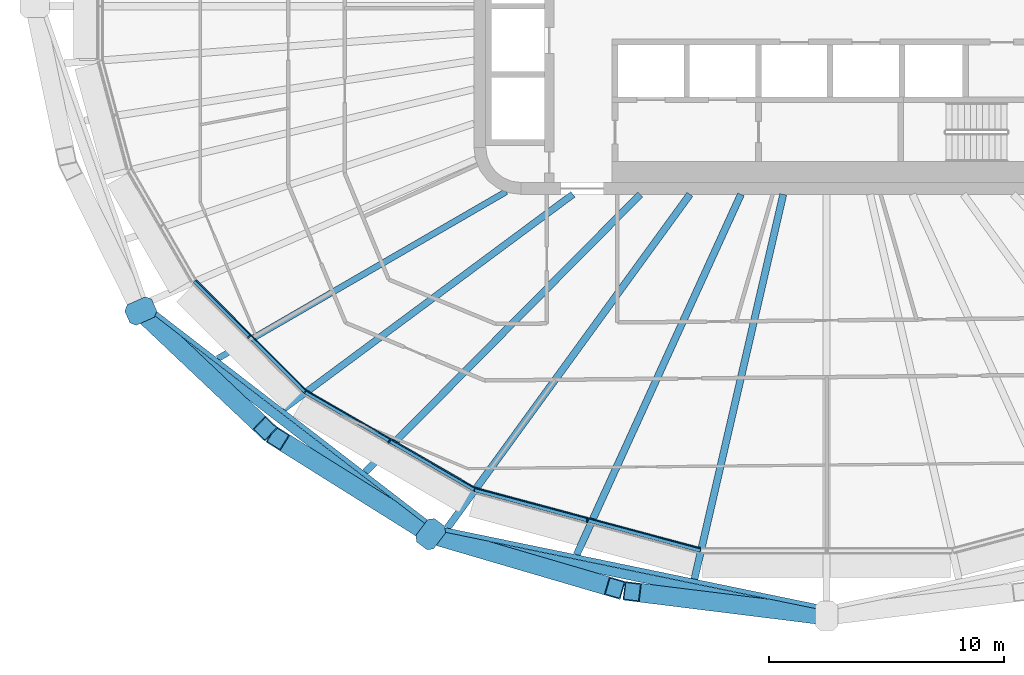
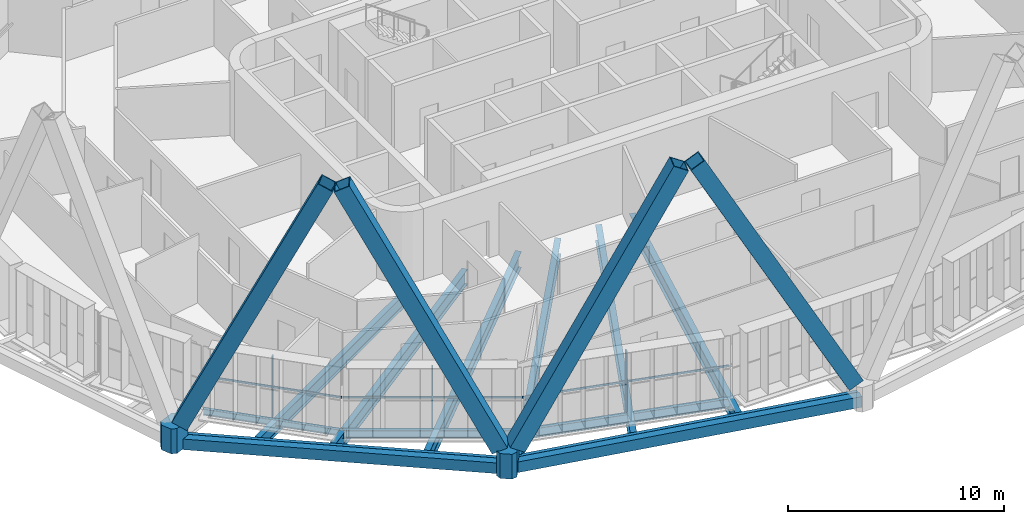
# One storey, part 1 of 25: 13 beams, 12 members, 3 elements without a shape of their own.
"""IFC4 building model written with IfcOpenShell, lengths in metres."""

from ifc_helpers import new_model, si_unit, direction, frame, origin, origin_2d, place, context, subcontext, project, spatial, polyline, rectangle, hollow_rectangle, i_section, outline, extrude, material, layer, layer_set, material_profile, profile_set, type_object, element, aggregate, save


model = new_model("IFC4")

# Units and contexts
model_context = context("Model", 3, precision=1e-05, world=origin(), true_north=direction((0.0, 1.0)))
body_context = subcontext(model_context, "Body", "Model", "MODEL_VIEW")
ifc_project = project(units=[si_unit("LENGTHUNIT", "METRE"), si_unit("AREAUNIT", "SQUARE_METRE"), si_unit("VOLUMEUNIT", "CUBIC_METRE"), si_unit("PLANEANGLEUNIT", "RADIAN"), si_unit("MASSUNIT", "GRAM", prefix="KILO")], contexts=[model_context])

# Site, building, storey
site_placement = place(None, origin())
site = spatial("IfcSite", under=ifc_project, at=site_placement, CompositionType="ELEMENT")
building_placement = place(site_placement, origin())
building = spatial("IfcBuilding", under=site, at=building_placement, Name="Sahrelin Media Tower", CompositionType="ELEMENT")
storey_placement = place(building_placement, frame((0.0, 0.0, 181.60009765625)))
storey = spatial("IfcBuildingStorey", under=building, at=storey_placement, Name="L38", CompositionType="ELEMENT", Elevation=181.60009765625)

# Members
ifc_material_1 = material(Name="Steel S460", Category="steel")
ifc_material_profile_1 = material_profile(ifc_material_1, hollow_rectangle(XDim=0.800048828125, YDim=0.800048828125, WallThickness=0.044921875, at=origin_2d()), Name="Diagrid diagonal DG5")
ifc_profile_set_1 = profile_set([ifc_material_profile_1], Name="Steel S460")
member_type_1 = type_object("IfcMemberType", Name="Diagrid diagonal DG5", PredefinedType="BRACE", material=ifc_profile_set_1)
member_1_placement = place(storey_placement, frame((-28.927001953125, -13.191162109375, 0.699951171875), z_axis=(0.312231776108, -0.295199304716, 0.90297767884), x_axis=(0.687009358213, 0.726648568242, 0.0)))
element("IfcMember", 1, at=member_1_placement, inside=storey, type_object=member_type_1, Name="Diagrid diagonal D08-14", PredefinedType="BRACE", context=body_context, shape_type="SweptSolid", body=[
    extrude(hollow_rectangle(XDim=0.800048828125, YDim=0.800048828125, WallThickness=0.044921875, at=origin_2d()), origin(), (0.0, 0.0, 1.0), 16.16845703125),
])
member_2_placement = place(storey_placement, frame((-17.13818359375, -22.26513671875, 0.699951171875), z_axis=(-0.379712357752, 0.237933145117, 0.893983413619), x_axis=(-0.530982186475, -0.847382981683, 0.0)))
element("IfcMember", 2, at=member_2_placement, inside=storey, type_object=member_type_1, Name="Diagrid diagonal D08-15", PredefinedType="BRACE", context=body_context, shape_type="SweptSolid", body=[
    extrude(hollow_rectangle(XDim=0.800048828125, YDim=0.800048828125, WallThickness=0.044921875, at=origin_2d()), origin(), (0.0, 0.0, 1.0), 16.331298828125),
])
member_3_placement = place(storey_placement, frame((-16.482666015625, -22.556396484375, 0.699951171875), z_axis=(0.451607462442, -0.132407389178, 0.882337227571), x_axis=(0.281348087818, 0.959605780246, 0.0)))
element("IfcMember", 3, at=member_3_placement, inside=storey, type_object=member_type_1, Name="Diagrid diagonal D08-16", PredefinedType="BRACE", context=body_context, shape_type="SweptSolid", body=[
    extrude(hollow_rectangle(XDim=0.800048828125, YDim=0.800048828125, WallThickness=0.044921875, at=origin_2d()), origin(), (0.0, 0.0, 1.0), 16.546875),
])
member_4_placement = place(storey_placement, frame((-0.37841796875, -25.877685546875, 0.699951171875), z_axis=(-0.474830701165, 0.058852752274, 0.878107145387), x_axis=(-0.123003500545, -0.992406236807, 0.0)))
element("IfcMember", 4, at=member_4_placement, inside=storey, type_object=member_type_1, Name="Diagrid diagonal D08-17", PredefinedType="BRACE", context=body_context, shape_type="SweptSolid", body=[
    extrude(hollow_rectangle(XDim=0.800048828125, YDim=0.800048828125, WallThickness=0.044921875, at=origin_2d()), origin(), (0.0, 0.0, 1.0), 16.62646484375),
])
ifc_material_profile_2 = material_profile(ifc_material_1, outline(polyline([(0.425048828125, -0.47509765625), (0.625, -0.27490234375), (0.625, 0.27490234375), (0.425048828125, 0.47509765625), (-0.425048828125, 0.47509765625), (-0.625, 0.27490234375), (-0.625, -0.27490234375), (-0.425048828125, -0.47509765625), (0.425048828125, -0.47509765625)])), Name="Diagrid node block 1250")
ifc_profile_set_2 = profile_set([ifc_material_profile_2], Name="Steel S460")
member_type_2 = type_object("IfcMemberType", Name="Diagrid node block 1250", PredefinedType="USERDEFINED", material=ifc_profile_set_2)
for number, where, z_axis, x_axis, name in (
    (5, (-29.169189453125, -12.96240234375, -0.7001953125), (0.0, 0.0, 1.0), (-0.913831317054, -0.40609398416, 0.0), "Diagrid node N08-07"),
    (6, (-16.8408203125, -22.451416015625, -0.7001953125), (0.0, 0.0, 1.0), (-0.600051693363, -0.799961227368, 0.0), "Diagrid node N08-08"),
):
    element("IfcMember", number, at=place(storey_placement, frame(where, z_axis=z_axis, x_axis=x_axis)), inside=storey, type_object=member_type_2, Name=name, ObjectType="NODE", PredefinedType="USERDEFINED", context=body_context, shape_type="SweptSolid", body=[
        extrude(outline(polyline([(0.425048828125, -0.47509765625), (0.625, -0.27490234375), (0.625, 0.27490234375), (0.425048828125, 0.47509765625), (-0.425048828125, 0.47509765625), (-0.625, 0.27490234375), (-0.625, -0.27490234375), (-0.425048828125, -0.47509765625), (0.425048828125, -0.47509765625)])), origin(), (0.0, 0.0, 1.0), 1.400146484375),
    ])

# Beams
ifc_material_profile_3 = material_profile(ifc_material_1, hollow_rectangle(XDim=0.39990234375, YDim=0.60009765625, WallThickness=0.030029296875, at=origin_2d()), Name="Diagrid ring beam RB1")
ifc_profile_set_3 = profile_set([ifc_material_profile_3], Name="Steel S460")
beam_type_1 = type_object("IfcBeamType", Name="Diagrid ring beam RB1", PredefinedType="BEAM", material=ifc_profile_set_3)
beam_1_placement = place(storey_placement, frame((-29.169189453125, -12.96240234375, -0.4501953125), z_axis=(0.792448358215, -0.609939012986, 0.0), x_axis=(0.609939012986, 0.792448358215, 0.0)))
element("IfcBeam", 7, at=beam_1_placement, inside=storey, type_object=beam_type_1, Name="Diagrid ring beam RB08-07", PredefinedType="BEAM", context=body_context, shape_type="SweptSolid", body=[
    extrude(hollow_rectangle(XDim=0.39990234375, YDim=0.60009765625, WallThickness=0.030029296875, at=origin_2d()), origin(), (0.0, 0.0, 1.0), 15.557373046875),
])
beam_2_placement = place(storey_placement, frame((-16.8408203125, -22.451416015625, -0.4501953125), z_axis=(0.979386216223, -0.201996632331, 0.0), x_axis=(0.201996632331, 0.979386216223, 0.0)))
element("IfcBeam", 8, at=beam_2_placement, inside=storey, type_object=beam_type_1, Name="Diagrid ring beam RB08-08", PredefinedType="BEAM", context=body_context, shape_type="SweptSolid", body=[
    extrude(hollow_rectangle(XDim=0.39990234375, YDim=0.60009765625, WallThickness=0.030029296875, at=origin_2d()), origin(), (0.0, 0.0, 1.0), 17.1953125),
])
ifc_material_2 = material(Name="Steel S355", Category="steel")
ifc_material_profile_4 = material_profile(ifc_material_2, i_section(OverallWidth=0.17138671875, OverallDepth=0.35498046875, WebThickness=0.00732421875, FlangeThickness=0.011474609375, FilletRadius=0.01025390625, at=origin_2d()), Name="UB 356x171x51")
ifc_profile_set_4 = profile_set([ifc_material_profile_4], Name="Steel S355")
beam_type_2 = type_object("IfcBeamType", Name="Edge beam EB3", PredefinedType="BEAM", material=ifc_profile_set_4)
beam_3_placement = place(storey_placement, frame((-22.185791015625, -16.37890625, -0.32763671875), z_axis=(-0.707106781187, 0.707106781187, 0.0), x_axis=(-0.707106781187, -0.707106781187, 0.0)))
element("IfcBeam", 9, at=beam_3_placement, inside=storey, type_object=beam_type_2, Name="Edge beam L38-10", PredefinedType="BEAM", context=body_context, shape_type="SweptSolid", body=[
    extrude(i_section(OverallWidth=0.17138671875, OverallDepth=0.35498046875, WebThickness=0.00732421875, FlangeThickness=0.011474609375, FilletRadius=0.01025390625, at=origin_2d()), origin(), (0.0, 0.0, 1.0), 6.630615234375),
])
ifc_material_profile_5 = material_profile(ifc_material_2, i_section(OverallWidth=0.1904296875, OverallDepth=0.45703125, WebThickness=0.009033203125, FlangeThickness=0.014404296875, FilletRadius=0.01025390625, at=origin_2d()), Name="UB 457x191x74")
ifc_profile_set_5 = profile_set([ifc_material_profile_5], Name="Steel S355")
beam_type_3 = type_object("IfcBeamType", Name="Edge beam EB5", PredefinedType="BEAM", material=ifc_profile_set_5)
beam_4_placement = place(storey_placement, frame((-14.9912109375, -20.537109375, -0.378662109375), z_axis=(-0.866021116422, 0.500007425856, 0.0), x_axis=(-0.500007425856, -0.866021116422, 0.0)))
element("IfcBeam", 10, at=beam_4_placement, inside=storey, type_object=beam_type_3, Name="Edge beam L38-09", PredefinedType="BEAM", context=body_context, shape_type="SweptSolid", body=[
    extrude(i_section(OverallWidth=0.1904296875, OverallDepth=0.45703125, WebThickness=0.009033203125, FlangeThickness=0.014404296875, FilletRadius=0.01025390625, at=origin_2d()), origin(), (0.0, 0.0, 1.0), 8.281005859375),
])
ifc_material_profile_6 = material_profile(ifc_material_2, i_section(OverallWidth=0.208740234375, OverallDepth=0.5283203125, WebThickness=0.009521484375, FlangeThickness=0.01318359375, FilletRadius=0.0126953125, at=origin_2d()), Name="UB 533x210x82")
ifc_profile_set_6 = profile_set([ifc_material_profile_6], Name="Steel S355")
beam_type_4 = type_object("IfcBeamType", Name="Edge beam EB6", PredefinedType="BEAM", material=ifc_profile_set_6)
beam_5_placement = place(storey_placement, frame((-5.36572265625, -23.1201171875, -0.414306640625), z_axis=(-0.965925570778, 0.258819998681, 0.0), x_axis=(-0.258819998681, -0.965925570778, 0.0)))
element("IfcBeam", 11, at=beam_5_placement, inside=storey, type_object=beam_type_4, Name="Edge beam L38-08", PredefinedType="BEAM", context=body_context, shape_type="SweptSolid", body=[
    extrude(i_section(OverallWidth=0.208740234375, OverallDepth=0.5283203125, WebThickness=0.009521484375, FlangeThickness=0.01318359375, FilletRadius=0.0126953125, at=origin_2d()), origin(), (0.0, 0.0, 1.0), 9.9375),
])

# Curtain wall, member
ifc_material_3 = material(Name="Champagne anodised aluminium 6063-T6", Category="aluminium")
ifc_layer = layer(ifc_material_3, 0.14990234375)
ifc_layer_set = layer_set([ifc_layer], Name="Tower ribbon curtain wall")
curtain_wall_type = type_object("IfcCurtainWallType", Name="Tower ribbon curtain wall", PredefinedType="NOTDEFINED", material=ifc_layer_set)
curtain_wall_1_placement = place(storey_placement, frame((-24.635986328125, -14.140625, 0.0), z_axis=(0.0, 0.0, 1.0), x_axis=(1.0, 0.0, 0.0)))
curtain_wall_1 = element("IfcCurtainWall", 12, at=curtain_wall_1_placement, inside=storey, type_object=curtain_wall_type, Name="L38:CW:L38-15", PredefinedType="NOTDEFINED")
ifc_material_profile_7 = material_profile(ifc_material_3, rectangle(XDim=0.06005859375, YDim=0.175048828125, at=origin_2d()), Name="Mullion 60x175")
ifc_profile_set_7 = profile_set([ifc_material_profile_7], Name="Champagne anodised aluminium 6063-T6")
member_type_3 = type_object("IfcMemberType", Name="Mullion 60x175 CW1B", PredefinedType="MULLION", material=ifc_profile_set_7)
member_5_placement = place(storey_placement, frame((-24.56005859375, -14.064697265625, 0.0), z_axis=(0.0, 0.0, 1.0), x_axis=(0.707106781187, -0.707106781187, 0.0)))
member_5 = element("IfcMember", 13, at=member_5_placement, type_object=member_type_3, Name="L38:CWM:L38-15", PredefinedType="MULLION", context=body_context, shape_type="SweptSolid", body=[
    extrude(rectangle(XDim=0.06005859375, YDim=0.175048828125, at=origin_2d()), origin(), (0.0, 0.0, 1.0), 3.448486328125),
])

curtain_wall_2_placement = place(storey_placement, frame((-18.652099609375, -18.5966796875, 0.0), z_axis=(0.0, 0.0, 1.0), x_axis=(1.0, 0.0, 0.0)))
curtain_wall_2 = element("IfcCurtainWall", 14, at=curtain_wall_2_placement, inside=storey, type_object=curtain_wall_type, Name="L38:CW:L38-16", PredefinedType="NOTDEFINED")
member_6_placement = place(storey_placement, frame((-18.59814453125, -18.503662109375, 0.0), z_axis=(0.0, 0.0, 1.0), x_axis=(0.866021040428, -0.500007557478, 0.0)))
member_6 = element("IfcMember", 15, at=member_6_placement, type_object=member_type_3, Name="L38:CWM:L38-16", PredefinedType="MULLION", context=body_context, shape_type="SweptSolid", body=[
    extrude(rectangle(XDim=0.06005859375, YDim=0.175048828125, at=origin_2d()), origin(), (0.0, 0.0, 1.0), 3.448486328125),
])

curtain_wall_3_placement = place(storey_placement, frame((-10.203857421875, -21.97900390625, 0.0), z_axis=(0.0, 0.0, 1.0), x_axis=(1.0, 0.0, 0.0)))
curtain_wall_3 = element("IfcCurtainWall", 16, at=curtain_wall_3_placement, inside=storey, type_object=curtain_wall_type, Name="L38:CW:L38-17", PredefinedType="NOTDEFINED")
member_7_placement = place(storey_placement, frame((-10.176025390625, -21.875, 0.0), z_axis=(0.0, 0.0, 1.0), x_axis=(0.965927181449, -0.258813987523, 0.0)))
member_7 = element("IfcMember", 17, at=member_7_placement, type_object=member_type_3, Name="L38:CWM:L38-17", PredefinedType="MULLION", context=body_context, shape_type="SweptSolid", body=[
    extrude(rectangle(XDim=0.06005859375, YDim=0.175048828125, at=origin_2d()), origin(), (0.0, 0.0, 1.0), 3.448486328125),
])

# Beams
ifc_material_profile_8 = material_profile(ifc_material_2, i_section(OverallWidth=0.291748046875, OverallDepth=0.8349609375, WebThickness=0.013916015625, FlangeThickness=0.018798828125, FilletRadius=0.017822265625, at=origin_2d()), Name="UB 838x292x176")
ifc_profile_set_8 = profile_set([ifc_material_profile_8], Name="Steel S355")
beam_type_5 = type_object("IfcBeamType", Name="Radial primary beam PB10", PredefinedType="BEAM", material=ifc_profile_set_8)
beam_6_placement = place(storey_placement, frame((-10.790283203125, -8.0, -0.567626953125), z_axis=(-0.803305203739, -0.595567586128, 0.0), x_axis=(0.595567586128, -0.803305203739, 0.0)))
element("IfcBeam", 18, at=beam_6_placement, inside=storey, type_object=beam_type_5, Name="Radial beam L38-16", PredefinedType="BEAM", context=body_context, shape_type="SweptSolid", body=[
    extrude(i_section(OverallWidth=0.291748046875, OverallDepth=0.8349609375, WebThickness=0.013916015625, FlangeThickness=0.018798828125, FilletRadius=0.017822265625, at=origin_2d()), origin(), (0.0, 0.0, 1.0), 15.3310546875),
])
ifc_material_profile_9 = material_profile(ifc_material_2, i_section(OverallWidth=0.30322265625, OverallDepth=0.903076171875, WebThickness=0.01513671875, FlangeThickness=0.020263671875, FilletRadius=0.01904296875, at=origin_2d()), Name="UB 914x305x201")
ifc_profile_set_9 = profile_set([ifc_material_profile_9], Name="Steel S355")
beam_type_6 = type_object("IfcBeamType", Name="Radial primary beam PB11", PredefinedType="BEAM", material=ifc_profile_set_9)
beam_7_placement = place(storey_placement, frame((-5.815673828125, -8.0, -0.6015625), z_axis=(-0.588003751715, -0.808858200162, 0.0), x_axis=(0.808858200162, -0.588003751715, 0.0)))
element("IfcBeam", 19, at=beam_7_placement, inside=storey, type_object=beam_type_6, Name="Radial beam L38-17", PredefinedType="BEAM", context=body_context, shape_type="SweptSolid", body=[
    extrude(i_section(OverallWidth=0.30322265625, OverallDepth=0.903076171875, WebThickness=0.01513671875, FlangeThickness=0.020263671875, FilletRadius=0.01904296875, at=origin_2d()), origin(), (0.0, 0.0, 1.0), 17.547607421875),
])
beam_8_placement = place(storey_placement, frame((-1.84619140625, -8.0, -0.6015625), z_axis=(-0.224883929882, -0.974385559253, 0.0), x_axis=(0.974385559253, -0.224883929882, 0.0)))
element("IfcBeam", 20, at=beam_8_placement, inside=storey, type_object=beam_type_6, Name="Radial beam L38-18", PredefinedType="BEAM", context=body_context, shape_type="SweptSolid", body=[
    extrude(i_section(OverallWidth=0.30322265625, OverallDepth=0.903076171875, WebThickness=0.01513671875, FlangeThickness=0.020263671875, FilletRadius=0.01904296875, at=origin_2d()), origin(), (0.0, 0.0, 1.0), 16.79150390625),
])
ifc_material_profile_10 = material_profile(ifc_material_2, i_section(OverallWidth=0.30322265625, OverallDepth=0.903076171875, WebThickness=0.01513671875, FlangeThickness=0.020263671875, FilletRadius=0.01904296875, at=origin_2d()), Name="UB 914x305x201")
ifc_profile_set_10 = profile_set([ifc_material_profile_10], Name="Steel S355")
beam_type_7 = type_object("IfcBeamType", Name="Radial secondary beam SB11", PredefinedType="BEAM", material=ifc_profile_set_10)
beam_9_placement = place(storey_placement, frame((-7.92529296875, -8.0, -0.6015625), z_axis=(-0.703779898359, -0.710418084416, 0.0), x_axis=(0.710418084416, -0.703779898359, 0.0)))
element("IfcBeam", 21, at=beam_9_placement, inside=storey, type_object=beam_type_7, Name="Secondary beam L38-16", PredefinedType="BEAM", context=body_context, shape_type="SweptSolid", body=[
    extrude(i_section(OverallWidth=0.30322265625, OverallDepth=0.903076171875, WebThickness=0.01513671875, FlangeThickness=0.020263671875, FilletRadius=0.01904296875, at=origin_2d()), origin(), (0.0, 0.0, 1.0), 16.623779296875),
])
beam_10_placement = place(storey_placement, frame((-3.646728515625, -8.0, -0.6015625), z_axis=(-0.414778908088, -0.90992222602, 0.0), x_axis=(0.90992222602, -0.414778908088, 0.0)))
element("IfcBeam", 22, at=beam_10_placement, inside=storey, type_object=beam_type_7, Name="Secondary beam L38-17", PredefinedType="BEAM", context=body_context, shape_type="SweptSolid", body=[
    extrude(i_section(OverallWidth=0.30322265625, OverallDepth=0.903076171875, WebThickness=0.01513671875, FlangeThickness=0.020263671875, FilletRadius=0.01904296875, at=origin_2d()), origin(), (0.0, 0.0, 1.0), 16.84521484375),
])
ifc_material_profile_11 = material_profile(ifc_material_2, i_section(OverallWidth=0.26513671875, OverallDepth=0.75390625, WebThickness=0.0126953125, FlangeThickness=0.017578125, FilletRadius=0.0166015625, at=origin_2d()), Name="UB 762x267x147")
ifc_profile_set_11 = profile_set([ifc_material_profile_11], Name="Steel S355")
beam_type_8 = type_object("IfcBeamType", Name="Radial secondary beam SB9", PredefinedType="BEAM", material=ifc_profile_set_11)
beam_11_placement = place(storey_placement, frame((-13.62890625, -7.8857421875, -0.527099609375), z_axis=(-0.865557960624, -0.500808762704, 0.0), x_axis=(0.500808762704, -0.865557960624, 0.0)))
element("IfcBeam", 23, at=beam_11_placement, inside=storey, type_object=beam_type_8, Name="Secondary beam L38-15", PredefinedType="BEAM", context=body_context, shape_type="SweptSolid", body=[
    extrude(i_section(OverallWidth=0.26513671875, OverallDepth=0.75390625, WebThickness=0.0126953125, FlangeThickness=0.017578125, FilletRadius=0.0166015625, at=origin_2d()), origin(), (0.0, 0.0, 1.0), 14.171875),
])
ifc_material_profile_12 = material_profile(ifc_material_2, i_section(OverallWidth=0.1904296875, OverallDepth=0.45703125, WebThickness=0.009033203125, FlangeThickness=0.014404296875, FilletRadius=0.01025390625, at=origin_2d()), Name="UB 457x191x74")
ifc_profile_set_12 = profile_set([ifc_material_profile_12], Name="Steel S355")
beam_type_9 = type_object("IfcBeamType", Name="Tie chord TC5", PredefinedType="BEAM", material=ifc_profile_set_12)
beam_12_placement = place(storey_placement, frame((0.0, -25.6181640625, -0.378662109375), z_axis=(-0.979388253216, 0.201986755663, 0.0), x_axis=(-0.201986755663, -0.979388253216, 0.0)))
element("IfcBeam", 24, at=beam_12_placement, inside=storey, type_object=beam_type_9, Name="Tie chord L38-04", PredefinedType="BEAM", context=body_context, shape_type="SweptSolid", body=[
    extrude(i_section(OverallWidth=0.1904296875, OverallDepth=0.45703125, WebThickness=0.009033203125, FlangeThickness=0.014404296875, FilletRadius=0.01025390625, at=origin_2d()), origin(), (0.0, 0.0, 1.0), 17.064453125),
])
beam_13_placement = place(storey_placement, frame((-16.712646484375, -22.17138671875, -0.378662109375), z_axis=(-0.792439471155, 0.609950559108, 0.0), x_axis=(-0.609950559108, -0.792439471155, 0.0)))
element("IfcBeam", 25, at=beam_13_placement, inside=storey, type_object=beam_type_9, Name="Tie chord L38-05", PredefinedType="BEAM", context=body_context, shape_type="SweptSolid", body=[
    extrude(i_section(OverallWidth=0.1904296875, OverallDepth=0.45703125, WebThickness=0.009033203125, FlangeThickness=0.014404296875, FilletRadius=0.01025390625, at=origin_2d()), origin(), (0.0, 0.0, 1.0), 15.3984375),
])

# Member
ifc_material_profile_13 = material_profile(ifc_material_3, rectangle(XDim=0.050048828125, YDim=0.110107421875, at=origin_2d()), Name="Transom 50x110")
ifc_profile_set_13 = profile_set([ifc_material_profile_13], Name="Champagne anodised aluminium 6063-T6")
member_type_4 = type_object("IfcMemberType", Name="Transom 50x110 CW1B", PredefinedType="USERDEFINED", material=ifc_profile_set_13)
member_8_placement = place(storey_placement, frame((-26.813720703125, -11.652099609375, 1.599853515625), z_axis=(0.707125278519, -0.70708828337, 0.0), x_axis=(0.70708828337, 0.707125278519, 0.0)))
member_8 = element("IfcMember", 26, at=member_8_placement, type_object=member_type_4, Name="L38:CWT:L38-15", ObjectType="TRANSOM", PredefinedType="USERDEFINED", context=body_context, shape_type="SweptSolid", body=[
    extrude(rectangle(XDim=0.050048828125, YDim=0.110107421875, at=origin_2d()), origin(), (0.0, 0.0, 1.0), 6.599365234375),
])

aggregate(curtain_wall_1, [member_5, member_8])

member_9_placement = place(storey_placement, frame((-22.1142578125, -16.34375, 1.599853515625), z_axis=(0.866032814021, -0.499987164874, 0.0), x_axis=(0.499987164874, 0.866032814021, 0.0)))
member_9 = element("IfcMember", 27, at=member_9_placement, type_object=member_type_4, Name="L38:CWT:L38-16", ObjectType="TRANSOM", PredefinedType="USERDEFINED", context=body_context, shape_type="SweptSolid", body=[
    extrude(rectangle(XDim=0.050048828125, YDim=0.110107421875, at=origin_2d()), origin(), (0.0, 0.0, 1.0), 8.249755859375),
])

aggregate(curtain_wall_2, [member_6, member_9])

member_10_placement = place(storey_placement, frame((-14.931396484375, -20.484619140625, 1.599853515625), z_axis=(0.965930340572, -0.258802196983, 0.0), x_axis=(0.258802196983, 0.965930340572, 0.0)))
member_10 = element("IfcMember", 28, at=member_10_placement, type_object=member_type_4, Name="L38:CWT:L38-17", ObjectType="TRANSOM", PredefinedType="USERDEFINED", context=body_context, shape_type="SweptSolid", body=[
    extrude(rectangle(XDim=0.050048828125, YDim=0.110107421875, at=origin_2d()), origin(), (0.0, 0.0, 1.0), 9.906005859375),
])

aggregate(curtain_wall_3, [member_7, member_10])

save(model, "model.ifc")
